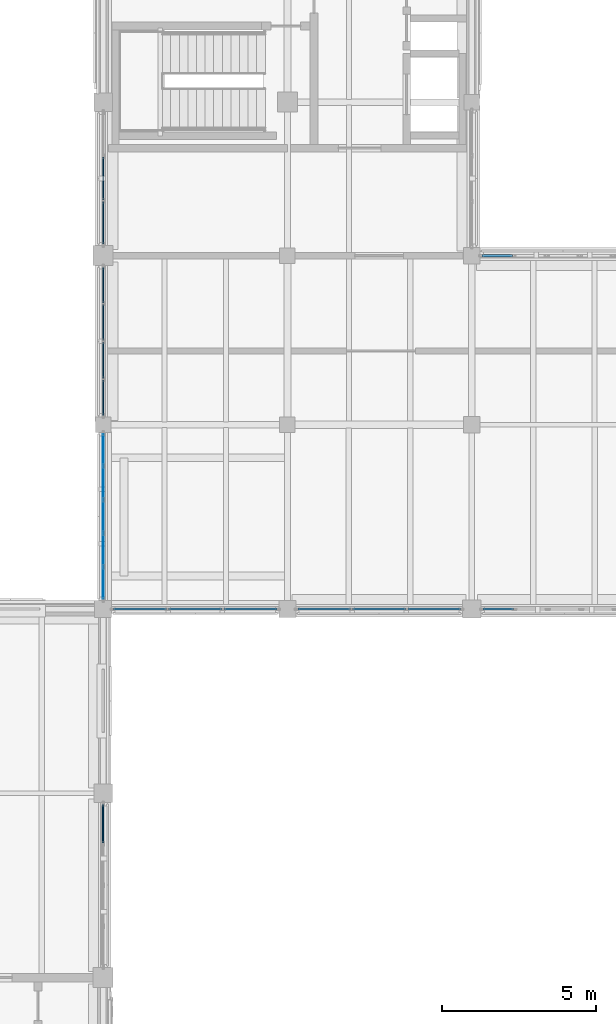
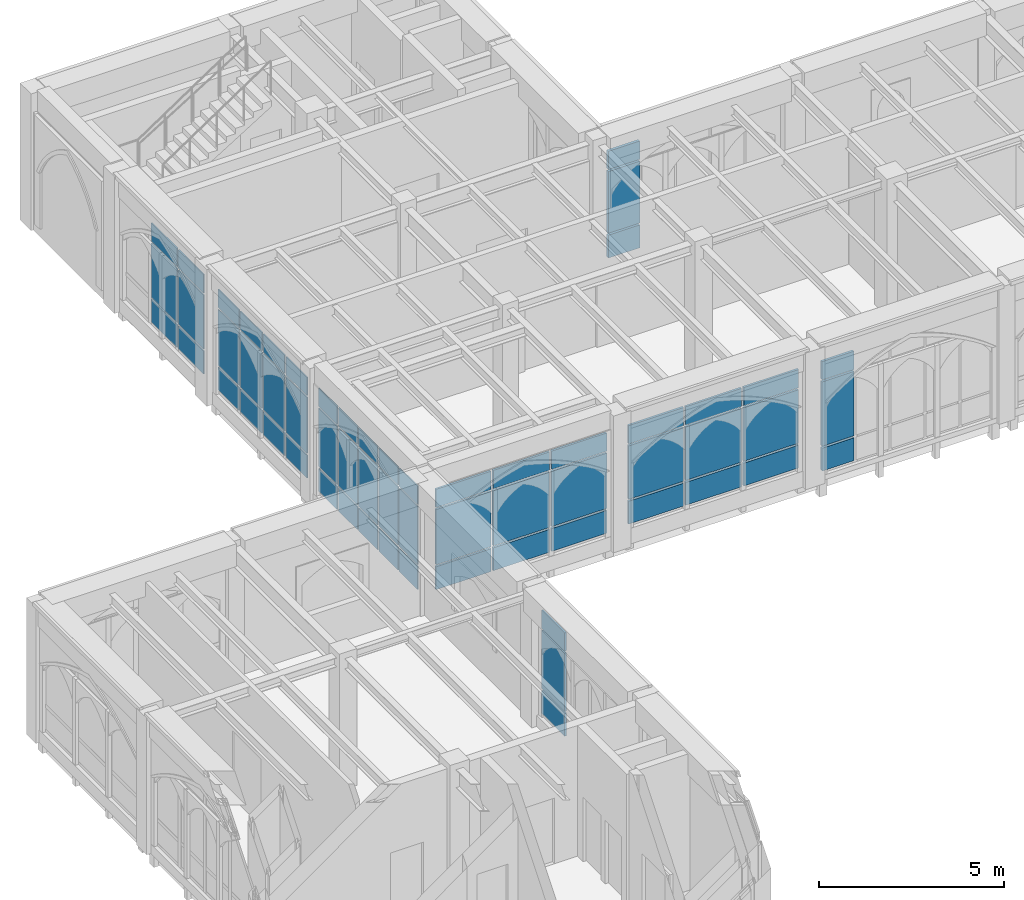
# One storey, part 88 of 143: 60 plates, 8 elements without a shape of their own.
"""IFC4 building model written with IfcOpenShell, lengths in metres."""

from ifc_helpers import new_model, si_unit, direction, frame, origin, origin_2d, place, context, subcontext, project, spatial, rectangle, extrude, material, layer, layer_set, type_object, element, aggregate, save


model = new_model("IFC4")

# Units and contexts
model_context = context("Model", 3, precision=1e-05, world=origin(), true_north=direction((0.0, 1.0)))
body_context = subcontext(model_context, "Body", "Model", "MODEL_VIEW")
ifc_project = project(units=[si_unit("LENGTHUNIT", "METRE"), si_unit("AREAUNIT", "SQUARE_METRE"), si_unit("VOLUMEUNIT", "CUBIC_METRE"), si_unit("PLANEANGLEUNIT", "RADIAN"), si_unit("MASSUNIT", "GRAM", prefix="KILO")], contexts=[model_context])

# Site, building, storey
site_placement = place(None, origin())
site = spatial("IfcSite", under=ifc_project, at=site_placement, CompositionType="ELEMENT")
building_placement = place(site_placement, origin())
building = spatial("IfcBuilding", under=site, at=building_placement, Name="Cumevento Cable Car Station", CompositionType="ELEMENT")
storey_placement = place(building_placement, frame((0.0, 0.0, 9.0)))
storey = spatial("IfcBuildingStorey", under=building, at=storey_placement, Name="L03", CompositionType="ELEMENT", Elevation=9.0)

# Curtain wall, plates
ifc_material_1 = material(Name="Anodised Bronze Aluminium AW-6063-T6", Category="aluminium")
ifc_layer_1 = layer(ifc_material_1, 0.18408203125)
ifc_layer_set_1 = layer_set([ifc_layer_1], Name="Anodised Bronze Aluminium AW-6063-T6")
curtain_wall_type_1 = type_object("IfcCurtainWallType", Name="Lancet Curtain Wall CW-05 1210", PredefinedType="NOTDEFINED", material=ifc_layer_set_1)
curtain_wall_1_placement = place(storey_placement, origin())
curtain_wall_1 = element("IfcCurtainWall", 1, at=curtain_wall_1_placement, inside=storey, type_object=curtain_wall_type_1, Name="Lancet Curtain Wall CW-05 L03 #100", PredefinedType="NOTDEFINED")
ifc_material_2 = material(Name="Solar Control Laminated Double Glazing", Category="glass")
ifc_layer_2 = layer(ifc_material_2, 0.030029296875)
ifc_layer_set_2 = layer_set([ifc_layer_2], Name="Solar Control Laminated Double Glazing")
plate_type_1 = type_object("IfcPlateType", Name="Glazed Panel CWP-03 30", PredefinedType="CURTAIN_PANEL", material=ifc_layer_set_2)
plate_1_placement = place(storey_placement, frame((22.0, 45.8388671875, 0.425048828125), z_axis=(0.0, 0.0, 1.0), x_axis=(0.0, 1.0, 0.0)))
plate_1 = element("IfcPlate", 2, at=plate_1_placement, type_object=plate_type_1, Name="CW-05 panel 1.1", PredefinedType="CURTAIN_PANEL", context=body_context, shape_type="SweptSolid", body=[
    extrude(rectangle(XDim=0.99755859375, YDim=0.030029296875, at=origin_2d()), origin(), (0.0, 0.0, 1.0), 0.75244140625),
])
plate_2_placement = place(storey_placement, frame((22.0, 45.8388671875, 1.242431640625), z_axis=(0.0, 0.0, 1.0), x_axis=(0.0, 1.0, 0.0)))
plate_2 = element("IfcPlate", 3, at=plate_2_placement, type_object=plate_type_1, Name="CW-05 panel 1.2", PredefinedType="CURTAIN_PANEL", context=body_context, shape_type="SweptSolid", body=[
    extrude(rectangle(XDim=0.99755859375, YDim=0.030029296875, at=origin_2d()), origin(), (0.0, 0.0, 1.0), 1.91796875),
])
plate_3_placement = place(storey_placement, frame((22.0, 45.8388671875, 3.2255859375), z_axis=(0.0, 0.0, 1.0), x_axis=(0.0, 1.0, 0.0)))
plate_3 = element("IfcPlate", 4, at=plate_3_placement, type_object=plate_type_1, Name="CW-05 panel 1.3", PredefinedType="CURTAIN_PANEL", context=body_context, shape_type="SweptSolid", body=[
    extrude(rectangle(XDim=0.99755859375, YDim=0.030029296875, at=origin_2d()), origin(), (0.0, 0.0, 1.0), 0.6025390625),
])
plate_4_placement = place(storey_placement, frame((22.0, 46.91748046875, 0.425048828125), z_axis=(0.0, 0.0, 1.0), x_axis=(0.0, 1.0, 0.0)))
plate_4 = element("IfcPlate", 5, at=plate_4_placement, type_object=plate_type_1, Name="CW-05 panel 2.1", PredefinedType="CURTAIN_PANEL", context=body_context, shape_type="SweptSolid", body=[
    extrude(rectangle(XDim=1.030029296875, YDim=0.030029296875, at=origin_2d()), origin(), (0.0, 0.0, 1.0), 0.75244140625),
])
plate_5_placement = place(storey_placement, frame((22.0, 46.91748046875, 1.242431640625), z_axis=(0.0, 0.0, 1.0), x_axis=(0.0, 1.0, 0.0)))
plate_5 = element("IfcPlate", 6, at=plate_5_placement, type_object=plate_type_1, Name="CW-05 panel 2.2", PredefinedType="CURTAIN_PANEL", context=body_context, shape_type="SweptSolid", body=[
    extrude(rectangle(XDim=1.030029296875, YDim=0.030029296875, at=origin_2d()), origin(), (0.0, 0.0, 1.0), 1.91796875),
])
plate_6_placement = place(storey_placement, frame((22.0, 46.91748046875, 3.2255859375), z_axis=(0.0, 0.0, 1.0), x_axis=(0.0, 1.0, 0.0)))
plate_6 = element("IfcPlate", 7, at=plate_6_placement, type_object=plate_type_1, Name="CW-05 panel 2.3", PredefinedType="CURTAIN_PANEL", context=body_context, shape_type="SweptSolid", body=[
    extrude(rectangle(XDim=1.030029296875, YDim=0.030029296875, at=origin_2d()), origin(), (0.0, 0.0, 1.0), 0.6025390625),
])
plate_7_placement = place(storey_placement, frame((22.0, 48.012451171875, 0.425048828125), z_axis=(0.0, 0.0, 1.0), x_axis=(0.0, 1.0, 0.0)))
plate_7 = element("IfcPlate", 8, at=plate_7_placement, type_object=plate_type_1, Name="CW-05 panel 3.1", PredefinedType="CURTAIN_PANEL", context=body_context, shape_type="SweptSolid", body=[
    extrude(rectangle(XDim=1.030029296875, YDim=0.030029296875, at=origin_2d()), origin(), (0.0, 0.0, 1.0), 0.75244140625),
])
plate_8_placement = place(storey_placement, frame((22.0, 48.012451171875, 1.242431640625), z_axis=(0.0, 0.0, 1.0), x_axis=(0.0, 1.0, 0.0)))
plate_8 = element("IfcPlate", 9, at=plate_8_placement, type_object=plate_type_1, Name="CW-05 panel 3.2", PredefinedType="CURTAIN_PANEL", context=body_context, shape_type="SweptSolid", body=[
    extrude(rectangle(XDim=1.030029296875, YDim=0.030029296875, at=origin_2d()), origin(), (0.0, 0.0, 1.0), 1.91796875),
])
plate_9_placement = place(storey_placement, frame((22.0, 48.012451171875, 3.2255859375), z_axis=(0.0, 0.0, 1.0), x_axis=(0.0, 1.0, 0.0)))
plate_9 = element("IfcPlate", 10, at=plate_9_placement, type_object=plate_type_1, Name="CW-05 panel 3.3", PredefinedType="CURTAIN_PANEL", context=body_context, shape_type="SweptSolid", body=[
    extrude(rectangle(XDim=1.030029296875, YDim=0.030029296875, at=origin_2d()), origin(), (0.0, 0.0, 1.0), 0.6025390625),
])
plate_10_placement = place(storey_placement, frame((22.0, 49.107421875, 0.425048828125), z_axis=(0.0, 0.0, 1.0), x_axis=(0.0, 1.0, 0.0)))
plate_10 = element("IfcPlate", 11, at=plate_10_placement, type_object=plate_type_1, Name="CW-05 panel 4.1", PredefinedType="CURTAIN_PANEL", context=body_context, shape_type="SweptSolid", body=[
    extrude(rectangle(XDim=1.030029296875, YDim=0.030029296875, at=origin_2d()), origin(), (0.0, 0.0, 1.0), 0.75244140625),
])
plate_11_placement = place(storey_placement, frame((22.0, 49.107421875, 1.242431640625), z_axis=(0.0, 0.0, 1.0), x_axis=(0.0, 1.0, 0.0)))
plate_11 = element("IfcPlate", 12, at=plate_11_placement, type_object=plate_type_1, Name="CW-05 panel 4.2", PredefinedType="CURTAIN_PANEL", context=body_context, shape_type="SweptSolid", body=[
    extrude(rectangle(XDim=1.030029296875, YDim=0.030029296875, at=origin_2d()), origin(), (0.0, 0.0, 1.0), 1.91796875),
])
plate_12_placement = place(storey_placement, frame((22.0, 49.107421875, 3.2255859375), z_axis=(0.0, 0.0, 1.0), x_axis=(0.0, 1.0, 0.0)))
plate_12 = element("IfcPlate", 13, at=plate_12_placement, type_object=plate_type_1, Name="CW-05 panel 4.3", PredefinedType="CURTAIN_PANEL", context=body_context, shape_type="SweptSolid", body=[
    extrude(rectangle(XDim=1.030029296875, YDim=0.030029296875, at=origin_2d()), origin(), (0.0, 0.0, 1.0), 0.6025390625),
])
plate_13_placement = place(storey_placement, frame((22.0, 50.186279296875, 0.425048828125), z_axis=(0.0, 0.0, 1.0), x_axis=(0.0, 1.0, 0.0)))
plate_13 = element("IfcPlate", 14, at=plate_13_placement, type_object=plate_type_1, Name="CW-05 panel 5.1", PredefinedType="CURTAIN_PANEL", context=body_context, shape_type="SweptSolid", body=[
    extrude(rectangle(XDim=0.99755859375, YDim=0.030029296875, at=origin_2d()), origin(), (0.0, 0.0, 1.0), 0.75244140625),
])
plate_14_placement = place(storey_placement, frame((22.0, 50.186279296875, 1.242431640625), z_axis=(0.0, 0.0, 1.0), x_axis=(0.0, 1.0, 0.0)))
plate_14 = element("IfcPlate", 15, at=plate_14_placement, type_object=plate_type_1, Name="CW-05 panel 5.2", PredefinedType="CURTAIN_PANEL", context=body_context, shape_type="SweptSolid", body=[
    extrude(rectangle(XDim=0.99755859375, YDim=0.030029296875, at=origin_2d()), origin(), (0.0, 0.0, 1.0), 1.91796875),
])
plate_15_placement = place(storey_placement, frame((22.0, 50.186279296875, 3.2255859375), z_axis=(0.0, 0.0, 1.0), x_axis=(0.0, 1.0, 0.0)))
plate_15 = element("IfcPlate", 16, at=plate_15_placement, type_object=plate_type_1, Name="CW-05 panel 5.3", PredefinedType="CURTAIN_PANEL", context=body_context, shape_type="SweptSolid", body=[
    extrude(rectangle(XDim=0.99755859375, YDim=0.030029296875, at=origin_2d()), origin(), (0.0, 0.0, 1.0), 0.6025390625),
])
aggregate(curtain_wall_1, [plate_1, plate_2, plate_3, plate_4, plate_5, plate_6, plate_7, plate_8, plate_9, plate_10, plate_11, plate_12, plate_13, plate_14, plate_15])

ifc_material_3 = material(Name="Anodised Bronze Aluminium AW-6063-T6", Category="aluminium")
ifc_layer_3 = layer(ifc_material_3, 0.18994140625)
ifc_layer_set_3 = layer_set([ifc_layer_3], Name="Anodised Bronze Aluminium AW-6063-T6")
curtain_wall_type_2 = type_object("IfcCurtainWallType", Name="Lancet Curtain Wall CW-06 1250", PredefinedType="NOTDEFINED", material=ifc_layer_set_3)
curtain_wall_2_placement = place(storey_placement, origin())
curtain_wall_2 = element("IfcCurtainWall", 17, at=curtain_wall_2_placement, inside=storey, type_object=curtain_wall_type_2, Name="Lancet Curtain Wall CW-06 L03 #101", PredefinedType="NOTDEFINED")
ifc_material_4 = material(Name="Solar Control Laminated Double Glazing", Category="glass")
ifc_layer_4 = layer(ifc_material_4, 0.033935546875)
ifc_layer_set_4 = layer_set([ifc_layer_4], Name="Solar Control Laminated Double Glazing")
plate_type_2 = type_object("IfcPlateType", Name="Glazed Panel CWP-04 34", PredefinedType="CURTAIN_PANEL", material=ifc_layer_set_4)
plate_16_placement = place(storey_placement, frame((22.0, 51.8818359375, 0.47509765625), z_axis=(0.0, 0.0, 1.0), x_axis=(0.0, 1.0, 0.0)))
plate_16 = element("IfcPlate", 18, at=plate_16_placement, type_object=plate_type_2, Name="CW-06 panel 1.1", PredefinedType="CURTAIN_PANEL", context=body_context, shape_type="SweptSolid", body=[
    extrude(rectangle(XDim=1.1337890625, YDim=0.033935546875, at=origin_2d()), origin(), (0.0, 0.0, 1.0), 0.75244140625),
])
plate_17_placement = place(storey_placement, frame((22.0, 51.8818359375, 1.29248046875), z_axis=(0.0, 0.0, 1.0), x_axis=(0.0, 1.0, 0.0)))
plate_17 = element("IfcPlate", 19, at=plate_17_placement, type_object=plate_type_2, Name="CW-06 panel 1.2", PredefinedType="CURTAIN_PANEL", context=body_context, shape_type="SweptSolid", body=[
    extrude(rectangle(XDim=1.1337890625, YDim=0.033935546875, at=origin_2d()), origin(), (0.0, 0.0, 1.0), 1.83203125),
])
plate_18_placement = place(storey_placement, frame((22.0, 51.8818359375, 3.189453125), z_axis=(0.0, 0.0, 1.0), x_axis=(0.0, 1.0, 0.0)))
plate_18 = element("IfcPlate", 20, at=plate_18_placement, type_object=plate_type_2, Name="CW-06 panel 1.3", PredefinedType="CURTAIN_PANEL", context=body_context, shape_type="SweptSolid", body=[
    extrude(rectangle(XDim=1.1337890625, YDim=0.033935546875, at=origin_2d()), origin(), (0.0, 0.0, 1.0), 0.6025390625),
])
plate_19_placement = place(storey_placement, frame((22.0, 53.096923828125, 0.47509765625), z_axis=(0.0, 0.0, 1.0), x_axis=(0.0, 1.0, 0.0)))
plate_19 = element("IfcPlate", 21, at=plate_19_placement, type_object=plate_type_2, Name="CW-06 panel 2.1", PredefinedType="CURTAIN_PANEL", context=body_context, shape_type="SweptSolid", body=[
    extrude(rectangle(XDim=1.166259765625, YDim=0.033935546875, at=origin_2d()), origin(), (0.0, 0.0, 1.0), 0.75244140625),
])
plate_20_placement = place(storey_placement, frame((22.0, 53.096923828125, 1.29248046875), z_axis=(0.0, 0.0, 1.0), x_axis=(0.0, 1.0, 0.0)))
plate_20 = element("IfcPlate", 22, at=plate_20_placement, type_object=plate_type_2, Name="CW-06 panel 2.2", PredefinedType="CURTAIN_PANEL", context=body_context, shape_type="SweptSolid", body=[
    extrude(rectangle(XDim=1.166259765625, YDim=0.033935546875, at=origin_2d()), origin(), (0.0, 0.0, 1.0), 1.83203125),
])
plate_21_placement = place(storey_placement, frame((22.0, 53.096923828125, 3.189453125), z_axis=(0.0, 0.0, 1.0), x_axis=(0.0, 1.0, 0.0)))
plate_21 = element("IfcPlate", 23, at=plate_21_placement, type_object=plate_type_2, Name="CW-06 panel 2.3", PredefinedType="CURTAIN_PANEL", context=body_context, shape_type="SweptSolid", body=[
    extrude(rectangle(XDim=1.166259765625, YDim=0.033935546875, at=origin_2d()), origin(), (0.0, 0.0, 1.0), 0.6025390625),
])
plate_22_placement = place(storey_placement, frame((22.0, 54.328125, 0.47509765625), z_axis=(0.0, 0.0, 1.0), x_axis=(0.0, 1.0, 0.0)))
plate_22 = element("IfcPlate", 24, at=plate_22_placement, type_object=plate_type_2, Name="CW-06 panel 3.1", PredefinedType="CURTAIN_PANEL", context=body_context, shape_type="SweptSolid", body=[
    extrude(rectangle(XDim=1.166259765625, YDim=0.033935546875, at=origin_2d()), origin(), (0.0, 0.0, 1.0), 0.75244140625),
])
plate_23_placement = place(storey_placement, frame((22.0, 54.328125, 1.29248046875), z_axis=(0.0, 0.0, 1.0), x_axis=(0.0, 1.0, 0.0)))
plate_23 = element("IfcPlate", 25, at=plate_23_placement, type_object=plate_type_2, Name="CW-06 panel 3.2", PredefinedType="CURTAIN_PANEL", context=body_context, shape_type="SweptSolid", body=[
    extrude(rectangle(XDim=1.166259765625, YDim=0.033935546875, at=origin_2d()), origin(), (0.0, 0.0, 1.0), 1.83203125),
])
plate_24_placement = place(storey_placement, frame((22.0, 54.328125, 3.189453125), z_axis=(0.0, 0.0, 1.0), x_axis=(0.0, 1.0, 0.0)))
plate_24 = element("IfcPlate", 26, at=plate_24_placement, type_object=plate_type_2, Name="CW-06 panel 3.3", PredefinedType="CURTAIN_PANEL", context=body_context, shape_type="SweptSolid", body=[
    extrude(rectangle(XDim=1.166259765625, YDim=0.033935546875, at=origin_2d()), origin(), (0.0, 0.0, 1.0), 0.6025390625),
])
plate_25_placement = place(storey_placement, frame((22.0, 55.543212890625, 0.47509765625), z_axis=(0.0, 0.0, 1.0), x_axis=(0.0, 1.0, 0.0)))
plate_25 = element("IfcPlate", 27, at=plate_25_placement, type_object=plate_type_2, Name="CW-06 panel 4.1", PredefinedType="CURTAIN_PANEL", context=body_context, shape_type="SweptSolid", body=[
    extrude(rectangle(XDim=1.1337890625, YDim=0.033935546875, at=origin_2d()), origin(), (0.0, 0.0, 1.0), 0.75244140625),
])
plate_26_placement = place(storey_placement, frame((22.0, 55.543212890625, 1.29248046875), z_axis=(0.0, 0.0, 1.0), x_axis=(0.0, 1.0, 0.0)))
plate_26 = element("IfcPlate", 28, at=plate_26_placement, type_object=plate_type_2, Name="CW-06 panel 4.2", PredefinedType="CURTAIN_PANEL", context=body_context, shape_type="SweptSolid", body=[
    extrude(rectangle(XDim=1.1337890625, YDim=0.033935546875, at=origin_2d()), origin(), (0.0, 0.0, 1.0), 1.83203125),
])
plate_27_placement = place(storey_placement, frame((22.0, 55.543212890625, 3.189453125), z_axis=(0.0, 0.0, 1.0), x_axis=(0.0, 1.0, 0.0)))
plate_27 = element("IfcPlate", 29, at=plate_27_placement, type_object=plate_type_2, Name="CW-06 panel 4.3", PredefinedType="CURTAIN_PANEL", context=body_context, shape_type="SweptSolid", body=[
    extrude(rectangle(XDim=1.1337890625, YDim=0.033935546875, at=origin_2d()), origin(), (0.0, 0.0, 1.0), 0.6025390625),
])
aggregate(curtain_wall_2, [plate_16, plate_17, plate_18, plate_19, plate_20, plate_21, plate_22, plate_23, plate_24, plate_25, plate_26, plate_27])

ifc_material_5 = material(Name="Anodised Bronze Aluminium AW-6063-T6", Category="aluminium")
ifc_layer_5 = layer(ifc_material_5, 0.196044921875)
ifc_layer_set_5 = layer_set([ifc_layer_5], Name="Anodised Bronze Aluminium AW-6063-T6")
curtain_wall_type_3 = type_object("IfcCurtainWallType", Name="Lancet Curtain Wall CW-07 1290", PredefinedType="NOTDEFINED", material=ifc_layer_set_5)
curtain_wall_3_placement = place(storey_placement, origin())
curtain_wall_3 = element("IfcCurtainWall", 30, at=curtain_wall_3_placement, inside=storey, type_object=curtain_wall_type_3, Name="Lancet Curtain Wall CW-07 L03 #102", PredefinedType="NOTDEFINED")
ifc_material_6 = material(Name="Solar Control Laminated Double Glazing", Category="glass")
ifc_layer_6 = layer(ifc_material_6, 0.0380859375)
ifc_layer_set_6 = layer_set([ifc_layer_6], Name="Solar Control Laminated Double Glazing")
plate_type_3 = type_object("IfcPlateType", Name="Glazed Panel CWP-05 38", PredefinedType="CURTAIN_PANEL", material=ifc_layer_set_6)
plate_28_placement = place(storey_placement, frame((22.0, 57.5703125, 0.525146484375), z_axis=(0.0, 0.0, 1.0), x_axis=(0.0, 1.0, 0.0)))
plate_28 = element("IfcPlate", 31, at=plate_28_placement, type_object=plate_type_3, Name="CW-07 panel 1.1", PredefinedType="CURTAIN_PANEL", context=body_context, shape_type="SweptSolid", body=[
    extrude(rectangle(XDim=1.36083984375, YDim=0.0380859375, at=origin_2d()), origin(), (0.0, 0.0, 1.0), 0.75244140625),
])
plate_29_placement = place(storey_placement, frame((22.0, 57.5703125, 1.34228515625), z_axis=(0.0, 0.0, 1.0), x_axis=(0.0, 1.0, 0.0)))
plate_29 = element("IfcPlate", 32, at=plate_29_placement, type_object=plate_type_3, Name="CW-07 panel 1.2", PredefinedType="CURTAIN_PANEL", context=body_context, shape_type="SweptSolid", body=[
    extrude(rectangle(XDim=1.36083984375, YDim=0.0380859375, at=origin_2d()), origin(), (0.0, 0.0, 1.0), 1.781982421875),
])
plate_30_placement = place(storey_placement, frame((22.0, 57.5703125, 3.189453125), z_axis=(0.0, 0.0, 1.0), x_axis=(0.0, 1.0, 0.0)))
plate_30 = element("IfcPlate", 33, at=plate_30_placement, type_object=plate_type_3, Name="CW-07 panel 1.3", PredefinedType="CURTAIN_PANEL", context=body_context, shape_type="SweptSolid", body=[
    extrude(rectangle(XDim=1.36083984375, YDim=0.0380859375, at=origin_2d()), origin(), (0.0, 0.0, 1.0), 0.6025390625),
])
plate_31_placement = place(storey_placement, frame((22.0, 59.012451171875, 0.525146484375), z_axis=(0.0, 0.0, 1.0), x_axis=(0.0, 1.0, 0.0)))
plate_31 = element("IfcPlate", 34, at=plate_31_placement, type_object=plate_type_3, Name="CW-07 panel 2.1", PredefinedType="CURTAIN_PANEL", context=body_context, shape_type="SweptSolid", body=[
    extrude(rectangle(XDim=1.393310546875, YDim=0.0380859375, at=origin_2d()), origin(), (0.0, 0.0, 1.0), 0.75244140625),
])
plate_32_placement = place(storey_placement, frame((22.0, 59.012451171875, 1.34228515625), z_axis=(0.0, 0.0, 1.0), x_axis=(0.0, 1.0, 0.0)))
plate_32 = element("IfcPlate", 35, at=plate_32_placement, type_object=plate_type_3, Name="CW-07 panel 2.2", PredefinedType="CURTAIN_PANEL", context=body_context, shape_type="SweptSolid", body=[
    extrude(rectangle(XDim=1.393310546875, YDim=0.0380859375, at=origin_2d()), origin(), (0.0, 0.0, 1.0), 1.781982421875),
])
plate_33_placement = place(storey_placement, frame((22.0, 59.012451171875, 3.189453125), z_axis=(0.0, 0.0, 1.0), x_axis=(0.0, 1.0, 0.0)))
plate_33 = element("IfcPlate", 36, at=plate_33_placement, type_object=plate_type_3, Name="CW-07 panel 2.3", PredefinedType="CURTAIN_PANEL", context=body_context, shape_type="SweptSolid", body=[
    extrude(rectangle(XDim=1.393310546875, YDim=0.0380859375, at=origin_2d()), origin(), (0.0, 0.0, 1.0), 0.6025390625),
])
aggregate(curtain_wall_3, [plate_28, plate_29, plate_30, plate_31, plate_32, plate_33])

ifc_material_7 = material(Name="Anodised Bronze Aluminium AW-6063-T6", Category="aluminium")
ifc_layer_7 = layer(ifc_material_7, 0.23193359375)
ifc_layer_set_7 = layer_set([ifc_layer_7], Name="Anodised Bronze Aluminium AW-6063-T6")
curtain_wall_type_4 = type_object("IfcCurtainWallType", Name="Lancet Curtain Wall CW-13 1530", PredefinedType="NOTDEFINED", material=ifc_layer_set_7)
curtain_wall_4_placement = place(storey_placement, origin())
curtain_wall_4 = element("IfcCurtainWall", 37, at=curtain_wall_4_placement, inside=storey, type_object=curtain_wall_type_4, Name="Lancet Curtain Wall CW-13 L03 #92", PredefinedType="NOTDEFINED")
ifc_material_8 = material(Name="Insulated Bronze Aluminium Spandrel Panel", Category="aluminium")
ifc_layer_8 = layer(ifc_material_8, 0.054931640625)
ifc_layer_set_8 = layer_set([ifc_layer_8], Name="Insulated Bronze Aluminium Spandrel Panel")
plate_type_4 = type_object("IfcPlateType", Name="Spandrel Panel CWP-09 55", PredefinedType="CURTAIN_PANEL", material=ifc_layer_set_8)
plate_34_placement = place(storey_placement, frame((22.0, 38.011962890625, 0.425048828125), z_axis=(0.0, 0.0, 1.0), x_axis=(0.0, -1.0, 0.0)))
plate_34 = element("IfcPlate", 38, at=plate_34_placement, type_object=plate_type_4, Name="CW-13 panel 1.1", PredefinedType="CURTAIN_PANEL", context=body_context, shape_type="SweptSolid", body=[
    extrude(rectangle(XDim=1.246337890625, YDim=0.054931640625, at=origin_2d()), origin(), (0.0, 0.0, 1.0), 0.75244140625),
])
plate_35_placement = place(storey_placement, frame((22.0, 38.011962890625, 1.242431640625), z_axis=(0.0, 0.0, 1.0), x_axis=(0.0, -1.0, 0.0)))
plate_35 = element("IfcPlate", 39, at=plate_35_placement, type_object=plate_type_4, Name="CW-13 panel 1.2", PredefinedType="CURTAIN_PANEL", context=body_context, shape_type="SweptSolid", body=[
    extrude(rectangle(XDim=1.246337890625, YDim=0.054931640625, at=origin_2d()), origin(), (0.0, 0.0, 1.0), 1.91796875),
])
plate_36_placement = place(storey_placement, frame((22.0, 38.011962890625, 3.2255859375), z_axis=(0.0, 0.0, 1.0), x_axis=(0.0, -1.0, 0.0)))
plate_36 = element("IfcPlate", 40, at=plate_36_placement, type_object=plate_type_4, Name="CW-13 panel 1.3", PredefinedType="CURTAIN_PANEL", context=body_context, shape_type="SweptSolid", body=[
    extrude(rectangle(XDim=1.246337890625, YDim=0.054931640625, at=origin_2d()), origin(), (0.0, 0.0, 1.0), 0.6025390625),
])
aggregate(curtain_wall_4, [plate_34, plate_35, plate_36])

ifc_material_9 = material(Name="Anodised Bronze Aluminium AW-6063-T6", Category="aluminium")
ifc_layer_9 = layer(ifc_material_9, 0.243896484375)
ifc_layer_set_9 = layer_set([ifc_layer_9], Name="Anodised Bronze Aluminium AW-6063-T6")
curtain_wall_type_5 = type_object("IfcCurtainWallType", Name="Lancet Curtain Wall CW-15 1610", PredefinedType="NOTDEFINED", material=ifc_layer_set_9)
curtain_wall_5_placement = place(storey_placement, origin())
curtain_wall_5 = element("IfcCurtainWall", 41, at=curtain_wall_5_placement, inside=storey, type_object=curtain_wall_type_5, Name="Lancet Curtain Wall CW-15 L03 #94", PredefinedType="NOTDEFINED")
ifc_material_10 = material(Name="Insulated Bronze Aluminium Spandrel Panel", Category="aluminium")
ifc_layer_10 = layer(ifc_material_10, 0.06591796875)
ifc_layer_set_10 = layer_set([ifc_layer_10], Name="Insulated Bronze Aluminium Spandrel Panel")
plate_type_5 = type_object("IfcPlateType", Name="Spandrel Panel CWP-11 66", PredefinedType="CURTAIN_PANEL", material=ifc_layer_set_10)
plate_37_placement = place(storey_placement, frame((26.800537109375, 45.0, 0.525146484375), z_axis=(0.0, 0.0, 1.0), x_axis=(-1.0, 0.0, 0.0)))
plate_37 = element("IfcPlate", 42, at=plate_37_placement, type_object=plate_type_5, Name="CW-15 panel 1.1", PredefinedType="CURTAIN_PANEL", context=body_context, shape_type="SweptSolid", body=[
    extrude(rectangle(XDim=1.71923828125, YDim=0.06591796875, at=origin_2d()), origin(), (0.0, 0.0, 1.0), 0.75244140625),
])
plate_38_placement = place(storey_placement, frame((26.800537109375, 45.0, 1.34228515625), z_axis=(0.0, 0.0, 1.0), x_axis=(-1.0, 0.0, 0.0)))
plate_38 = element("IfcPlate", 43, at=plate_38_placement, type_object=plate_type_5, Name="CW-15 panel 1.2", PredefinedType="CURTAIN_PANEL", context=body_context, shape_type="SweptSolid", body=[
    extrude(rectangle(XDim=1.71923828125, YDim=0.06591796875, at=origin_2d()), origin(), (0.0, 0.0, 1.0), 1.818115234375),
])
plate_39_placement = place(storey_placement, frame((26.800537109375, 45.0, 3.2255859375), z_axis=(0.0, 0.0, 1.0), x_axis=(-1.0, 0.0, 0.0)))
plate_39 = element("IfcPlate", 44, at=plate_39_placement, type_object=plate_type_5, Name="CW-15 panel 1.3", PredefinedType="CURTAIN_PANEL", context=body_context, shape_type="SweptSolid", body=[
    extrude(rectangle(XDim=1.71923828125, YDim=0.06591796875, at=origin_2d()), origin(), (0.0, 0.0, 1.0), 0.6025390625),
])
plate_40_placement = place(storey_placement, frame((25.0, 45.0, 0.525146484375), z_axis=(0.0, 0.0, 1.0), x_axis=(-1.0, 0.0, 0.0)))
plate_40 = element("IfcPlate", 45, at=plate_40_placement, type_object=plate_type_5, Name="CW-15 panel 2.1", PredefinedType="CURTAIN_PANEL", context=body_context, shape_type="SweptSolid", body=[
    extrude(rectangle(XDim=1.751708984375, YDim=0.06591796875, at=origin_2d()), origin(), (0.0, 0.0, 1.0), 0.75244140625),
])
plate_41_placement = place(storey_placement, frame((25.0, 45.0, 1.34228515625), z_axis=(0.0, 0.0, 1.0), x_axis=(-1.0, 0.0, 0.0)))
plate_41 = element("IfcPlate", 46, at=plate_41_placement, type_object=plate_type_5, Name="CW-15 panel 2.2", PredefinedType="CURTAIN_PANEL", context=body_context, shape_type="SweptSolid", body=[
    extrude(rectangle(XDim=1.751708984375, YDim=0.06591796875, at=origin_2d()), origin(), (0.0, 0.0, 1.0), 1.818115234375),
])
plate_42_placement = place(storey_placement, frame((25.0, 45.0, 3.2255859375), z_axis=(0.0, 0.0, 1.0), x_axis=(-1.0, 0.0, 0.0)))
plate_42 = element("IfcPlate", 47, at=plate_42_placement, type_object=plate_type_5, Name="CW-15 panel 2.3", PredefinedType="CURTAIN_PANEL", context=body_context, shape_type="SweptSolid", body=[
    extrude(rectangle(XDim=1.751708984375, YDim=0.06591796875, at=origin_2d()), origin(), (0.0, 0.0, 1.0), 0.6025390625),
])
plate_43_placement = place(storey_placement, frame((23.199462890625, 45.0, 0.525146484375), z_axis=(0.0, 0.0, 1.0), x_axis=(-1.0, 0.0, 0.0)))
plate_43 = element("IfcPlate", 48, at=plate_43_placement, type_object=plate_type_5, Name="CW-15 panel 3.1", PredefinedType="CURTAIN_PANEL", context=body_context, shape_type="SweptSolid", body=[
    extrude(rectangle(XDim=1.71923828125, YDim=0.06591796875, at=origin_2d()), origin(), (0.0, 0.0, 1.0), 0.75244140625),
])
plate_44_placement = place(storey_placement, frame((23.199462890625, 45.0, 1.34228515625), z_axis=(0.0, 0.0, 1.0), x_axis=(-1.0, 0.0, 0.0)))
plate_44 = element("IfcPlate", 49, at=plate_44_placement, type_object=plate_type_5, Name="CW-15 panel 3.2", PredefinedType="CURTAIN_PANEL", context=body_context, shape_type="SweptSolid", body=[
    extrude(rectangle(XDim=1.71923828125, YDim=0.06591796875, at=origin_2d()), origin(), (0.0, 0.0, 1.0), 1.818115234375),
])
plate_45_placement = place(storey_placement, frame((23.199462890625, 45.0, 3.2255859375), z_axis=(0.0, 0.0, 1.0), x_axis=(-1.0, 0.0, 0.0)))
plate_45 = element("IfcPlate", 50, at=plate_45_placement, type_object=plate_type_5, Name="CW-15 panel 3.3", PredefinedType="CURTAIN_PANEL", context=body_context, shape_type="SweptSolid", body=[
    extrude(rectangle(XDim=1.71923828125, YDim=0.06591796875, at=origin_2d()), origin(), (0.0, 0.0, 1.0), 0.6025390625),
])
aggregate(curtain_wall_5, [plate_37, plate_38, plate_39, plate_40, plate_41, plate_42, plate_43, plate_44, plate_45])

ifc_material_11 = material(Name="Anodised Bronze Aluminium AW-6063-T6", Category="aluminium")
ifc_layer_11 = layer(ifc_material_11, 0.25)
ifc_layer_set_11 = layer_set([ifc_layer_11], Name="Anodised Bronze Aluminium AW-6063-T6")
curtain_wall_type_6 = type_object("IfcCurtainWallType", Name="Lancet Curtain Wall CW-16 1650", PredefinedType="NOTDEFINED", material=ifc_layer_set_11)
curtain_wall_6_placement = place(storey_placement, origin())
curtain_wall_6 = element("IfcCurtainWall", 51, at=curtain_wall_6_placement, inside=storey, type_object=curtain_wall_type_6, Name="Lancet Curtain Wall CW-16 L03 #95", PredefinedType="NOTDEFINED")
ifc_material_12 = material(Name="Insulated Bronze Aluminium Spandrel Panel", Category="aluminium")
ifc_layer_12 = layer(ifc_material_12, 0.072021484375)
ifc_layer_set_12 = layer_set([ifc_layer_12], Name="Insulated Bronze Aluminium Spandrel Panel")
plate_type_6 = type_object("IfcPlateType", Name="Spandrel Panel CWP-12 72", PredefinedType="CURTAIN_PANEL", material=ifc_layer_set_12)
plate_46_placement = place(storey_placement, frame((32.779541015625, 45.0, 0.5849609375), z_axis=(0.0, 0.0, 1.0), x_axis=(-1.0, 0.0, 0.0)))
plate_46 = element("IfcPlate", 52, at=plate_46_placement, type_object=plate_type_6, Name="CW-16 panel 1.1", PredefinedType="CURTAIN_PANEL", context=body_context, shape_type="SweptSolid", body=[
    extrude(rectangle(XDim=1.7109375, YDim=0.072021484375, at=origin_2d()), origin(), (0.0, 0.0, 1.0), 0.75244140625),
])
plate_47_placement = place(storey_placement, frame((32.779541015625, 45.0, 1.40234375), z_axis=(0.0, 0.0, 1.0), x_axis=(-1.0, 0.0, 0.0)))
plate_47 = element("IfcPlate", 53, at=plate_47_placement, type_object=plate_type_6, Name="CW-16 panel 1.2", PredefinedType="CURTAIN_PANEL", context=body_context, shape_type="SweptSolid", body=[
    extrude(rectangle(XDim=1.7109375, YDim=0.072021484375, at=origin_2d()), origin(), (0.0, 0.0, 1.0), 1.758056640625),
])
plate_48_placement = place(storey_placement, frame((32.779541015625, 45.0, 3.2255859375), z_axis=(0.0, 0.0, 1.0), x_axis=(-1.0, 0.0, 0.0)))
plate_48 = element("IfcPlate", 54, at=plate_48_placement, type_object=plate_type_6, Name="CW-16 panel 1.3", PredefinedType="CURTAIN_PANEL", context=body_context, shape_type="SweptSolid", body=[
    extrude(rectangle(XDim=1.7109375, YDim=0.072021484375, at=origin_2d()), origin(), (0.0, 0.0, 1.0), 0.6025390625),
])
plate_49_placement = place(storey_placement, frame((30.987548828125, 45.0, 0.5849609375), z_axis=(0.0, 0.0, 1.0), x_axis=(-1.0, 0.0, 0.0)))
plate_49 = element("IfcPlate", 55, at=plate_49_placement, type_object=plate_type_6, Name="CW-16 panel 2.1", PredefinedType="CURTAIN_PANEL", context=body_context, shape_type="SweptSolid", body=[
    extrude(rectangle(XDim=1.743408203125, YDim=0.072021484375, at=origin_2d()), origin(), (0.0, 0.0, 1.0), 0.75244140625),
])
plate_50_placement = place(storey_placement, frame((30.987548828125, 45.0, 1.40234375), z_axis=(0.0, 0.0, 1.0), x_axis=(-1.0, 0.0, 0.0)))
plate_50 = element("IfcPlate", 56, at=plate_50_placement, type_object=plate_type_6, Name="CW-16 panel 2.2", PredefinedType="CURTAIN_PANEL", context=body_context, shape_type="SweptSolid", body=[
    extrude(rectangle(XDim=1.743408203125, YDim=0.072021484375, at=origin_2d()), origin(), (0.0, 0.0, 1.0), 1.758056640625),
])
plate_51_placement = place(storey_placement, frame((30.987548828125, 45.0, 3.2255859375), z_axis=(0.0, 0.0, 1.0), x_axis=(-1.0, 0.0, 0.0)))
plate_51 = element("IfcPlate", 57, at=plate_51_placement, type_object=plate_type_6, Name="CW-16 panel 2.3", PredefinedType="CURTAIN_PANEL", context=body_context, shape_type="SweptSolid", body=[
    extrude(rectangle(XDim=1.743408203125, YDim=0.072021484375, at=origin_2d()), origin(), (0.0, 0.0, 1.0), 0.6025390625),
])
plate_52_placement = place(storey_placement, frame((29.1953125, 45.0, 0.5849609375), z_axis=(0.0, 0.0, 1.0), x_axis=(-1.0, 0.0, 0.0)))
plate_52 = element("IfcPlate", 58, at=plate_52_placement, type_object=plate_type_6, Name="CW-16 panel 3.1", PredefinedType="CURTAIN_PANEL", context=body_context, shape_type="SweptSolid", body=[
    extrude(rectangle(XDim=1.7109375, YDim=0.072021484375, at=origin_2d()), origin(), (0.0, 0.0, 1.0), 0.75244140625),
])
plate_53_placement = place(storey_placement, frame((29.1953125, 45.0, 1.40234375), z_axis=(0.0, 0.0, 1.0), x_axis=(-1.0, 0.0, 0.0)))
plate_53 = element("IfcPlate", 59, at=plate_53_placement, type_object=plate_type_6, Name="CW-16 panel 3.2", PredefinedType="CURTAIN_PANEL", context=body_context, shape_type="SweptSolid", body=[
    extrude(rectangle(XDim=1.7109375, YDim=0.072021484375, at=origin_2d()), origin(), (0.0, 0.0, 1.0), 1.758056640625),
])
plate_54_placement = place(storey_placement, frame((29.1953125, 45.0, 3.2255859375), z_axis=(0.0, 0.0, 1.0), x_axis=(-1.0, 0.0, 0.0)))
plate_54 = element("IfcPlate", 60, at=plate_54_placement, type_object=plate_type_6, Name="CW-16 panel 3.3", PredefinedType="CURTAIN_PANEL", context=body_context, shape_type="SweptSolid", body=[
    extrude(rectangle(XDim=1.7109375, YDim=0.072021484375, at=origin_2d()), origin(), (0.0, 0.0, 1.0), 0.6025390625),
])
aggregate(curtain_wall_6, [plate_46, plate_47, plate_48, plate_49, plate_50, plate_51, plate_52, plate_53, plate_54])

ifc_material_13 = material(Name="Anodised Bronze Aluminium AW-6063-T6", Category="aluminium")
ifc_layer_13 = layer(ifc_material_13, 0.159912109375)
ifc_layer_set_13 = layer_set([ifc_layer_13], Name="Anodised Bronze Aluminium AW-6063-T6")
curtain_wall_type_7 = type_object("IfcCurtainWallType", Name="Lancet Curtain Wall CW-01 1050", PredefinedType="NOTDEFINED", material=ifc_layer_set_13)
curtain_wall_7_placement = place(storey_placement, origin())
curtain_wall_7 = element("IfcCurtainWall", 61, at=curtain_wall_7_placement, inside=storey, type_object=curtain_wall_type_7, Name="Lancet Curtain Wall CW-01 L03 #96", PredefinedType="NOTDEFINED")
ifc_material_14 = material(Name="Insulated Bronze Aluminium Spandrel Panel", Category="aluminium")
ifc_layer_14 = layer(ifc_material_14, 0.077880859375)
ifc_layer_set_14 = layer_set([ifc_layer_14], Name="Insulated Bronze Aluminium Spandrel Panel")
plate_type_7 = type_object("IfcPlateType", Name="Spandrel Panel CWP-13 78", PredefinedType="CURTAIN_PANEL", material=ifc_layer_set_14)
plate_55_placement = place(storey_placement, frame((34.861328125, 45.0, 0.22509765625), z_axis=(0.0, 0.0, 1.0), x_axis=(-1.0, 0.0, 0.0)))
plate_55 = element("IfcPlate", 62, at=plate_55_placement, type_object=plate_type_7, Name="CW-01 panel 5.1", PredefinedType="CURTAIN_PANEL", context=body_context, shape_type="SweptSolid", body=[
    extrude(rectangle(XDim=0.992431640625, YDim=0.077880859375, at=origin_2d()), origin(), (0.0, 0.0, 1.0), 0.75244140625),
])
plate_56_placement = place(storey_placement, frame((34.861328125, 45.0, 1.04248046875), z_axis=(0.0, 0.0, 1.0), x_axis=(-1.0, 0.0, 0.0)))
plate_56 = element("IfcPlate", 63, at=plate_56_placement, type_object=plate_type_7, Name="CW-01 panel 5.2", PredefinedType="CURTAIN_PANEL", context=body_context, shape_type="SweptSolid", body=[
    extrude(rectangle(XDim=0.992431640625, YDim=0.077880859375, at=origin_2d()), origin(), (0.0, 0.0, 1.0), 2.117919921875),
])
plate_57_placement = place(storey_placement, frame((34.861328125, 45.0, 3.2255859375), z_axis=(0.0, 0.0, 1.0), x_axis=(-1.0, 0.0, 0.0)))
plate_57 = element("IfcPlate", 64, at=plate_57_placement, type_object=plate_type_7, Name="CW-01 panel 5.3", PredefinedType="CURTAIN_PANEL", context=body_context, shape_type="SweptSolid", body=[
    extrude(rectangle(XDim=0.992431640625, YDim=0.077880859375, at=origin_2d()), origin(), (0.0, 0.0, 1.0), 0.6025390625),
])
aggregate(curtain_wall_7, [plate_55, plate_56, plate_57])

ifc_material_15 = material(Name="Anodised Bronze Aluminium AW-6063-T6", Category="aluminium")
ifc_layer_15 = layer(ifc_material_15, 0.166015625)
ifc_layer_set_15 = layer_set([ifc_layer_15], Name="Anodised Bronze Aluminium AW-6063-T6")
curtain_wall_type_8 = type_object("IfcCurtainWallType", Name="Lancet Curtain Wall CW-02 1090", PredefinedType="NOTDEFINED", material=ifc_layer_set_15)
curtain_wall_8_placement = place(storey_placement, origin())
curtain_wall_8 = element("IfcCurtainWall", 65, at=curtain_wall_8_placement, inside=storey, type_object=curtain_wall_type_8, Name="Lancet Curtain Wall CW-02 L03 #97", PredefinedType="NOTDEFINED")
ifc_material_16 = material(Name="Insulated Bronze Aluminium Spandrel Panel", Category="aluminium")
ifc_layer_16 = layer(ifc_material_16, 0.0849609375)
ifc_layer_set_16 = layer_set([ifc_layer_16], Name="Insulated Bronze Aluminium Spandrel Panel")
plate_type_8 = type_object("IfcPlateType", Name="Spandrel Panel CWP-14 85", PredefinedType="CURTAIN_PANEL", material=ifc_layer_set_16)
plate_58_placement = place(storey_placement, frame((34.831298828125, 56.5, 0.275146484375), z_axis=(0.0, 0.0, 1.0), x_axis=(1.0, 0.0, 0.0)))
plate_58 = element("IfcPlate", 66, at=plate_58_placement, type_object=plate_type_8, Name="CW-02 panel 1.1", PredefinedType="CURTAIN_PANEL", context=body_context, shape_type="SweptSolid", body=[
    extrude(rectangle(XDim=0.982421875, YDim=0.0849609375, at=origin_2d()), origin(), (0.0, 0.0, 1.0), 0.75244140625),
])
plate_59_placement = place(storey_placement, frame((34.831298828125, 56.5, 1.09228515625), z_axis=(0.0, 0.0, 1.0), x_axis=(1.0, 0.0, 0.0)))
plate_59 = element("IfcPlate", 67, at=plate_59_placement, type_object=plate_type_8, Name="CW-02 panel 1.2", PredefinedType="CURTAIN_PANEL", context=body_context, shape_type="SweptSolid", body=[
    extrude(rectangle(XDim=0.982421875, YDim=0.0849609375, at=origin_2d()), origin(), (0.0, 0.0, 1.0), 2.031982421875),
])
plate_60_placement = place(storey_placement, frame((34.831298828125, 56.5, 3.189453125), z_axis=(0.0, 0.0, 1.0), x_axis=(1.0, 0.0, 0.0)))
plate_60 = element("IfcPlate", 68, at=plate_60_placement, type_object=plate_type_8, Name="CW-02 panel 1.3", PredefinedType="CURTAIN_PANEL", context=body_context, shape_type="SweptSolid", body=[
    extrude(rectangle(XDim=0.982421875, YDim=0.0849609375, at=origin_2d()), origin(), (0.0, 0.0, 1.0), 0.6025390625),
])
aggregate(curtain_wall_8, [plate_58, plate_59, plate_60])

save(model, "model.ifc")
